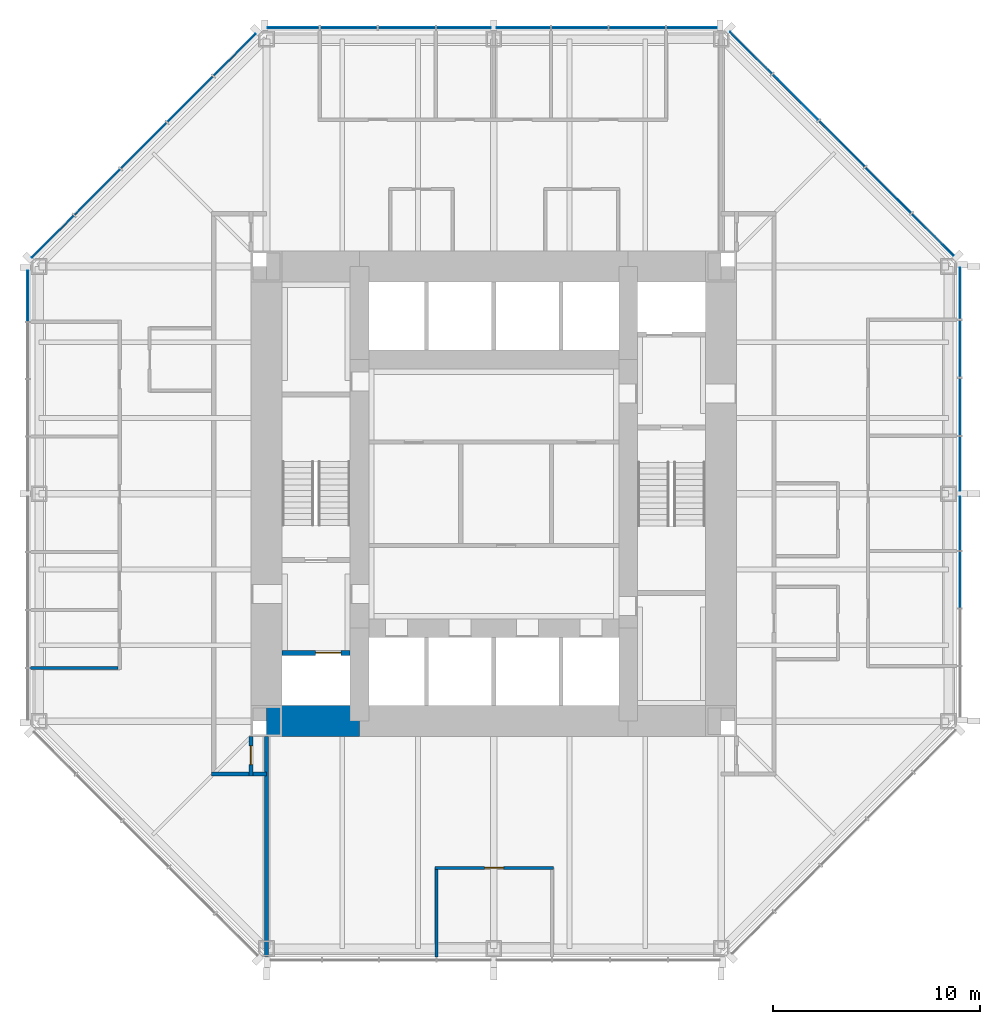
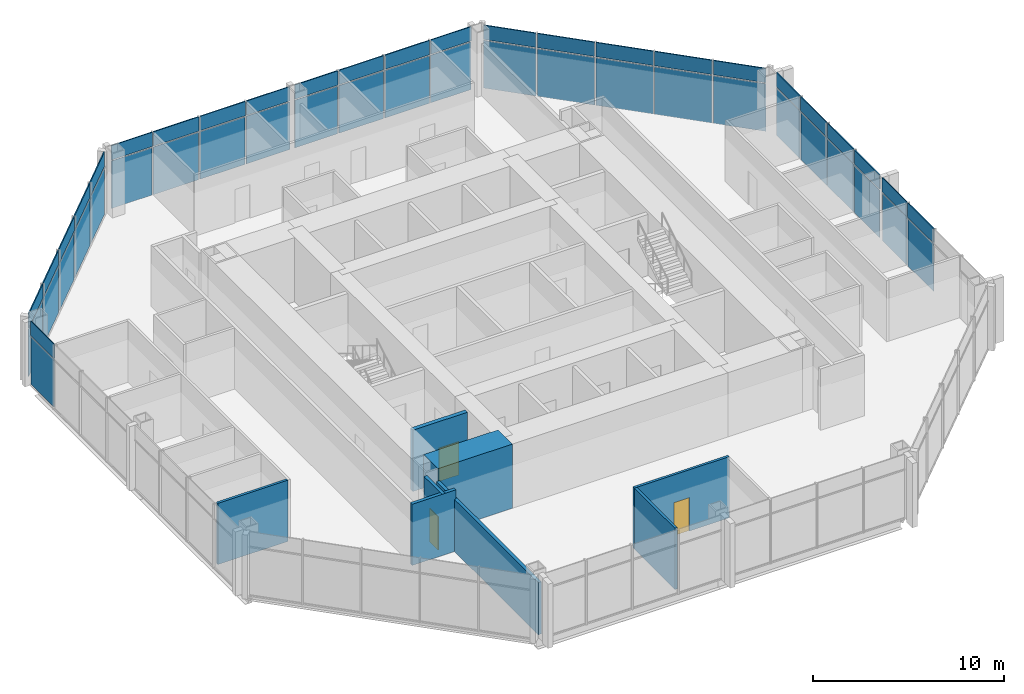
# One storey, part 8 of 12: 50 plates, 8 walls, 3 doors, 3 openings, 5 elements without a shape of their own.
"""IFC4 building model written with IfcOpenShell, lengths in metres."""

import ifcopenshell
import ifcopenshell.guid

model = None  # the IFC model being written
_history = None  # IfcOwnerHistory: only IFC2X3 demands one
_inside = {}  # id of a spatial element -> (the spatial element, [elements in it])
_under = {}  # id of a project, library or spatial element -> (it, [spatial elements below it])
_declared = {}  # id of a project -> (the project, [libraries it declares])
_typed = {}  # id of a type object -> (the type object, [elements of that type])
_made_of = {}  # id of a material, layer set ... -> (it, [elements and type objects made of it])


def new_model(schema):
    """Start an empty IFC model of exactly this schema.

    Asked for "IFC4X3", IfcOpenShell would pick the latest addendum, in which some entities
    have other attributes; the version numbers below select the first issue.
    IFC2X3 requires an IfcOwnerHistory on every rooted entity: one is made here for all.
    """
    global model, _history
    if schema == "IFC4X3":
        model = ifcopenshell.file(schema_version=(4, 3, 0, 0))
    else:
        model = ifcopenshell.file(schema=schema)
    _inside.clear()
    _under.clear()
    _declared.clear()
    _typed.clear()
    _made_of.clear()
    _history = None
    if model.schema == "IFC2X3":
        org = make("IfcOrganization", Name="unknown")
        user = make(
            "IfcPersonAndOrganization",
            ThePerson=make("IfcPerson", FamilyName="unknown"),
            TheOrganization=org,
        )
        app = make(
            "IfcApplication",
            ApplicationDeveloper=org,
            Version="unknown",
            ApplicationFullName="unknown",
            ApplicationIdentifier="unknown",
        )
        _history = make(
            "IfcOwnerHistory",
            OwningUser=user,
            OwningApplication=app,
            ChangeAction="ADDED",
            CreationDate=0,
        )
    return model


def make(cls, **values):
    """One entity of the class cls with the attributes given. An attribute that is None is left unset."""
    return model.create_entity(
        cls, **{name: value for name, value in values.items() if value is not None}
    )


def rooted(cls, **values):
    """An entity with a GlobalId (a new one), such as an element, a storey or a relation."""
    return make(cls, GlobalId=ifcopenshell.guid.new(), OwnerHistory=_history, **values)


def si_unit(unit_type, name, prefix=None):
    """IfcSIUnit, for example si_unit("LENGTHUNIT", "METRE", prefix="MILLI")."""
    return make("IfcSIUnit", UnitType=unit_type, Prefix=prefix, Name=name)


def assignment(units):
    """IfcUnitAssignment: the units of a project."""
    return None if units is None else make("IfcUnitAssignment", Units=units)


def point(xyz):
    """IfcCartesianPoint."""
    return None if xyz is None else make("IfcCartesianPoint", Coordinates=xyz)


def direction(xyz):
    """IfcDirection."""
    return None if xyz is None else make("IfcDirection", DirectionRatios=xyz)


def frame(location, z_axis=None, x_axis=None):
    """IfcAxis2Placement3D, a coordinate frame: its origin and axes. An axis left out is left unset."""
    return make(
        "IfcAxis2Placement3D",
        Location=point(location),
        Axis=direction(z_axis),
        RefDirection=direction(x_axis),
    )


def frame_2d(location, x_axis=None):
    """IfcAxis2Placement2D, a coordinate frame in the plane: its origin and x axis."""
    return make(
        "IfcAxis2Placement2D", Location=point(location), RefDirection=direction(x_axis)
    )


def origin():
    """The frame at (0, 0, 0) with its axes left unset."""
    return frame((0.0, 0.0, 0.0))


def origin_2d():
    """The frame at (0, 0) in the plane with its x axis left unset."""
    return frame_2d((0.0, 0.0))


def place(relative_to, where):
    """IfcLocalPlacement: puts the frame where relative to a parent placement (None: the world)."""
    return make(
        "IfcLocalPlacement", PlacementRelTo=relative_to, RelativePlacement=where
    )


def context(
    kind, dimensions, precision=None, world=None, true_north=None, identifier=None
):
    """IfcGeometricRepresentationContext, for example the 3D "Model" context."""
    return make(
        "IfcGeometricRepresentationContext",
        ContextIdentifier=identifier,
        ContextType=kind,
        CoordinateSpaceDimension=dimensions,
        Precision=precision,
        WorldCoordinateSystem=world,
        TrueNorth=true_north,
    )


def subcontext(parent, identifier, kind, view, scale=None):
    """IfcGeometricRepresentationSubContext, for example "Body" below "Model"."""
    return make(
        "IfcGeometricRepresentationSubContext",
        ContextIdentifier=identifier,
        ContextType=kind,
        ParentContext=parent,
        TargetScale=scale,
        TargetView=view,
    )


def project(units=None, contexts=None):
    """IfcProject with its units and contexts."""
    return rooted(
        "IfcProject",
        Name="project",
        RepresentationContexts=contexts,
        UnitsInContext=assignment(units),
    )


def spatial(cls, under=None, at=None, **own):
    """A site, building, storey or space (cls), placed at a placement, below another one or the project."""
    s = rooted(cls, ObjectPlacement=at, **own)
    if under is not None:
        _under.setdefault(under.id(), (under, []))[1].append(s)
    return s


def profile(cls, at=None, kind="AREA", **sizes):
    """A parametric profile (cls). Its sizes go by their IFC names, for example OverallWidth=200.0."""
    return make(cls, ProfileType=kind, Position=at, **sizes)


def rectangle(**sizes):
    """IfcRectangleProfileDef."""
    return profile("IfcRectangleProfileDef", **sizes)


def extrude(swept, where, along, depth):
    """IfcExtrudedAreaSolid: the profile swept, set in the frame where, extruded along a direction by depth."""
    return make(
        "IfcExtrudedAreaSolid",
        SweptArea=swept,
        Position=where,
        ExtrudedDirection=direction(along),
        Depth=depth,
    )


def shape(context_of_items, identifier, shape_type, items):
    """IfcShapeRepresentation: the items that make up one representation, for example the "Body"."""
    return make(
        "IfcShapeRepresentation",
        ContextOfItems=context_of_items,
        RepresentationIdentifier=identifier,
        RepresentationType=shape_type,
        Items=items,
    )


def material(Name=None, Category=None):
    """IfcMaterial."""
    return make("IfcMaterial", Name=Name, Category=Category)


def layer(
    of_material, thickness, ventilated=None, Name=None, Category=None, Priority=None
):
    """IfcMaterialLayer: one layer of a wall or slab, of a material (None: an air gap)."""
    return make(
        "IfcMaterialLayer",
        Material=of_material,
        LayerThickness=thickness,
        IsVentilated=ventilated,
        Name=Name,
        Category=Category,
        Priority=Priority,
    )


def layer_set(layers, Name=None):
    """IfcMaterialLayerSet."""
    return make("IfcMaterialLayerSet", MaterialLayers=layers, LayerSetName=Name)


def made_of(thing, what):
    """Note that an element or type object is made of a material, layer set ...; save() writes the relation."""
    if what is not None:
        _made_of.setdefault(what.id(), (what, []))[1].append(thing)
    return thing


def type_object(cls, material=None, **own):
    """A type object (cls), such as IfcWallType, which elements share."""
    return made_of(rooted(cls, **own), material)


def element(
    cls,
    number,
    at=None,
    inside=None,
    cuts=None,
    type_object=None,
    material=None,
    context=None,
    identifier="Body",
    shape_type=None,
    held_by="IfcProductDefinitionShape",
    body=None,
    shapes=None,
    **own,
):
    """One element of the class cls, such as IfcWall. Its Tag is "e" and its number.

    at: its placement. inside: the storey or other place that contains it. cuts: it is an
    opening in that element (IfcRelVoidsElement). A single representation is given by context,
    identifier, shape_type and body (its items); several are given by shapes. held_by: the class
    of the entity that holds the representations. save() writes the other relations.
    """
    e = rooted(cls, Tag="e%d" % number, ObjectPlacement=at, **own)
    if body is not None:
        shapes = [shape(context, identifier, shape_type, body)]
    if shapes is not None:
        e.Representation = make(held_by, Representations=shapes)
    if inside is not None:
        _inside.setdefault(inside.id(), (inside, []))[1].append(e)
    if cuts is not None:
        rooted(
            "IfcRelVoidsElement", RelatingBuildingElement=cuts, RelatedOpeningElement=e
        )
    if type_object is not None:
        _typed.setdefault(type_object.id(), (type_object, []))[1].append(e)
    return made_of(e, material)


def fill(opening, filler):
    """IfcRelFillsElement: the door or window that sits in an opening."""
    return rooted(
        "IfcRelFillsElement",
        RelatingOpeningElement=opening,
        RelatedBuildingElement=filler,
    )


def aggregate(whole, parts):
    """IfcRelAggregates: a whole, such as a stair, and the parts it consists of."""
    return rooted("IfcRelAggregates", RelatingObject=whole, RelatedObjects=parts)


def save(model, path):
    """Write the relations noted so far, then the file.

    IfcRelAggregates (storeys below a building ...), IfcRelContainedInSpatialStructure (elements
    in a storey), IfcRelDefinesByType, IfcRelAssociatesMaterial and IfcRelDeclares: one each for
    every whole, place, type object, material and project.
    """
    for whole, parts in _under.values():
        aggregate(whole, parts)
    for where, things in _inside.values():
        rooted(
            "IfcRelContainedInSpatialStructure",
            RelatedElements=things,
            RelatingStructure=where,
        )
    for kind, things in _typed.values():
        rooted("IfcRelDefinesByType", RelatedObjects=things, RelatingType=kind)
    for what, things in _made_of.values():
        rooted("IfcRelAssociatesMaterial", RelatedObjects=things, RelatingMaterial=what)
    for by, libraries in _declared.values():
        rooted("IfcRelDeclares", RelatingContext=by, RelatedDefinitions=libraries)
    model.write(path)


model = new_model("IFC4")

# Units and contexts
model_context = context("Model", 3, precision=1e-05, world=origin(), true_north=direction((0.0, 1.0)))
body_context = subcontext(model_context, "Body", "Model", "MODEL_VIEW")
ifc_project = project(units=[si_unit("LENGTHUNIT", "METRE"), si_unit("AREAUNIT", "SQUARE_METRE"), si_unit("VOLUMEUNIT", "CUBIC_METRE"), si_unit("PLANEANGLEUNIT", "RADIAN"), si_unit("MASSUNIT", "GRAM", prefix="KILO")], contexts=[model_context])

# Site, building, storey
site_placement = place(None, origin())
site = spatial("IfcSite", under=ifc_project, at=site_placement, CompositionType="ELEMENT")
building_placement = place(site_placement, origin())
building = spatial("IfcBuilding", under=site, at=building_placement, Name="Trevanion Tower", CompositionType="ELEMENT")
storey_placement = place(building_placement, frame((0.0, 0.0, 133.60009765625)))
storey = spatial("IfcBuildingStorey", under=building, at=storey_placement, Name="L31", CompositionType="ELEMENT", Elevation=133.60009765625)

# Curtain wall, plates
ifc_material_1 = material(Name="Aluminium and glass", Category="aluminium")
curtain_wall_type = type_object("IfcCurtainWallType", Name="CW2 curtain wall", PredefinedType="USERDEFINED", material=ifc_material_1)
curtain_wall_1_placement = place(storey_placement, origin())
curtain_wall_1 = element("IfcCurtainWall", 1, at=curtain_wall_1_placement, inside=storey, type_object=curtain_wall_type, Name="CW2 L31 0", ObjectType="UNITISED CURTAIN WALL", PredefinedType="USERDEFINED")
ifc_material_2 = material(Name="Aluminium spandrel panel", Category="aluminium")
ifc_layer_1 = layer(ifc_material_2, 0.06005859375)
ifc_layer_set_1 = layer_set([ifc_layer_1], Name="CW2 spandrel panel")
plate_type_1 = type_object("IfcPlateType", Name="CW2 spandrel panel", PredefinedType="CURTAIN_PANEL", material=ifc_layer_set_1)
plate_1_placement = place(storey_placement, frame((22.550048828125, -4.16162109375, 2.997314453125), z_axis=(0.0, 0.0, 1.0), x_axis=(0.0, 1.0, 0.0)))
plate_1 = element("IfcPlate", 2, at=plate_1_placement, type_object=plate_type_1, Name="CW2 panel 3.2", PredefinedType="CURTAIN_PANEL", context=body_context, shape_type="SweptSolid", body=[
    extrude(rectangle(XDim=2.699462890625, YDim=0.06005859375, at=origin_2d()), origin(), (0.0, 0.0, 1.0), 0.91259765625),
])
plate_2_placement = place(storey_placement, frame((22.550048828125, -1.443603515625, 2.997314453125), z_axis=(0.0, 0.0, 1.0), x_axis=(0.0, 1.0, 0.0)))
plate_2 = element("IfcPlate", 3, at=plate_2_placement, type_object=plate_type_1, Name="CW2 panel 4.2", PredefinedType="CURTAIN_PANEL", context=body_context, shape_type="SweptSolid", body=[
    extrude(rectangle(XDim=2.5869140625, YDim=0.06005859375, at=origin_2d()), origin(), (0.0, 0.0, 1.0), 0.91259765625),
])
plate_3_placement = place(storey_placement, frame((22.550048828125, 1.459716796875, 2.997314453125), z_axis=(0.0, 0.0, 1.0), x_axis=(0.0, 1.0, 0.0)))
plate_3 = element("IfcPlate", 4, at=plate_3_placement, type_object=plate_type_1, Name="CW2 panel 5.2", PredefinedType="CURTAIN_PANEL", context=body_context, shape_type="SweptSolid", body=[
    extrude(rectangle(XDim=2.619384765625, YDim=0.06005859375, at=origin_2d()), origin(), (0.0, 0.0, 1.0), 0.91259765625),
])
plate_4_placement = place(storey_placement, frame((22.550048828125, 4.21044921875, 2.997314453125), z_axis=(0.0, 0.0, 1.0), x_axis=(0.0, 1.0, 0.0)))
plate_4 = element("IfcPlate", 5, at=plate_4_placement, type_object=plate_type_1, Name="CW2 panel 6.2", PredefinedType="CURTAIN_PANEL", context=body_context, shape_type="SweptSolid", body=[
    extrude(rectangle(XDim=2.73193359375, YDim=0.06005859375, at=origin_2d()), origin(), (0.0, 0.0, 1.0), 0.91259765625),
])
plate_5_placement = place(storey_placement, frame((22.550048828125, 7.017333984375, 2.997314453125), z_axis=(0.0, 0.0, 1.0), x_axis=(0.0, 1.0, 0.0)))
plate_5 = element("IfcPlate", 6, at=plate_5_placement, type_object=plate_type_1, Name="CW2 panel 7.2", PredefinedType="CURTAIN_PANEL", context=body_context, shape_type="SweptSolid", body=[
    extrude(rectangle(XDim=2.73193359375, YDim=0.06005859375, at=origin_2d()), origin(), (0.0, 0.0, 1.0), 0.91259765625),
])
plate_6_placement = place(storey_placement, frame((22.550048828125, 9.693115234375, 2.997314453125), z_axis=(0.0, 0.0, 1.0), x_axis=(0.0, 1.0, 0.0)))
plate_6 = element("IfcPlate", 7, at=plate_6_placement, type_object=plate_type_1, Name="CW2 panel 8.2", PredefinedType="CURTAIN_PANEL", context=body_context, shape_type="SweptSolid", body=[
    extrude(rectangle(XDim=2.469482421875, YDim=0.06005859375, at=origin_2d()), origin(), (0.0, 0.0, 1.0), 0.91259765625),
])

curtain_wall_2_placement = place(storey_placement, origin())
curtain_wall_2 = element("IfcCurtainWall", 8, at=curtain_wall_2_placement, inside=storey, type_object=curtain_wall_type, Name="CW2 L31 1", ObjectType="UNITISED CURTAIN WALL", PredefinedType="USERDEFINED")
plate_7_placement = place(storey_placement, frame((21.2421875, 12.53564453125, 2.997314453125), z_axis=(0.0, 0.0, 1.0), x_axis=(-0.707106781187, 0.707106781187, 0.0)))
plate_7 = element("IfcPlate", 9, at=plate_7_placement, type_object=plate_type_1, Name="CW2 panel 1.2", PredefinedType="CURTAIN_PANEL", context=body_context, shape_type="SweptSolid", body=[
    extrude(rectangle(XDim=2.8388671875, YDim=0.06005859375, at=origin_2d()), origin(), (0.0, 0.0, 1.0), 0.91259765625),
])
plate_8_placement = place(storey_placement, frame((19.089111328125, 14.688720703125, 2.997314453125), z_axis=(0.0, 0.0, 1.0), x_axis=(-0.707106781187, 0.707106781187, 0.0)))
plate_8 = element("IfcPlate", 10, at=plate_8_placement, type_object=plate_type_1, Name="CW2 panel 2.2", PredefinedType="CURTAIN_PANEL", context=body_context, shape_type="SweptSolid", body=[
    extrude(rectangle(XDim=3.101318359375, YDim=0.06005859375, at=origin_2d()), origin(), (0.0, 0.0, 1.0), 0.91259765625),
])
plate_9_placement = place(storey_placement, frame((16.843017578125, 16.934814453125, 2.997314453125), z_axis=(0.0, 0.0, 1.0), x_axis=(-0.707106781187, 0.707106781187, 0.0)))
plate_9 = element("IfcPlate", 11, at=plate_9_placement, type_object=plate_type_1, Name="CW2 panel 3.2", PredefinedType="CURTAIN_PANEL", context=body_context, shape_type="SweptSolid", body=[
    extrude(rectangle(XDim=3.101318359375, YDim=0.06005859375, at=origin_2d()), origin(), (0.0, 0.0, 1.0), 0.91259765625),
])
plate_10_placement = place(storey_placement, frame((14.596923828125, 19.180908203125, 2.997314453125), z_axis=(0.0, 0.0, 1.0), x_axis=(-0.707106781187, 0.707106781187, 0.0)))
plate_10 = element("IfcPlate", 12, at=plate_10_placement, type_object=plate_type_1, Name="CW2 panel 4.2", PredefinedType="CURTAIN_PANEL", context=body_context, shape_type="SweptSolid", body=[
    extrude(rectangle(XDim=3.101318359375, YDim=0.06005859375, at=origin_2d()), origin(), (0.0, 0.0, 1.0), 0.91259765625),
])
plate_11_placement = place(storey_placement, frame((12.443603515625, 21.334228515625, 2.997314453125), z_axis=(0.0, 0.0, 1.0), x_axis=(-0.707106781187, 0.707106781187, 0.0)))
plate_11 = element("IfcPlate", 13, at=plate_11_placement, type_object=plate_type_1, Name="CW2 panel 5.2", PredefinedType="CURTAIN_PANEL", context=body_context, shape_type="SweptSolid", body=[
    extrude(rectangle(XDim=2.8388671875, YDim=0.06005859375, at=origin_2d()), origin(), (0.0, 0.0, 1.0), 0.91259765625),
])

curtain_wall_3_placement = place(storey_placement, origin())
curtain_wall_3 = element("IfcCurtainWall", 14, at=curtain_wall_3_placement, inside=storey, type_object=curtain_wall_type, Name="CW2 L31 2", ObjectType="UNITISED CURTAIN WALL", PredefinedType="USERDEFINED")
plate_12_placement = place(storey_placement, frame((9.579345703125, 22.550048828125, 2.997314453125), z_axis=(0.0, 0.0, 1.0), x_axis=(-1.0, 0.0, 0.0)))
plate_12 = element("IfcPlate", 15, at=plate_12_placement, type_object=plate_type_1, Name="CW2 panel 1.2", PredefinedType="CURTAIN_PANEL", context=body_context, shape_type="SweptSolid", body=[
    extrude(rectangle(XDim=2.43701171875, YDim=0.06005859375, at=origin_2d()), origin(), (0.0, 0.0, 1.0), 0.91259765625),
])
plate_13_placement = place(storey_placement, frame((6.93603515625, 22.550048828125, 2.997314453125), z_axis=(0.0, 0.0, 1.0), x_axis=(-1.0, 0.0, 0.0)))
plate_13 = element("IfcPlate", 16, at=plate_13_placement, type_object=plate_type_1, Name="CW2 panel 2.2", PredefinedType="CURTAIN_PANEL", context=body_context, shape_type="SweptSolid", body=[
    extrude(rectangle(XDim=2.699462890625, YDim=0.06005859375, at=origin_2d()), origin(), (0.0, 0.0, 1.0), 0.91259765625),
])
plate_14_placement = place(storey_placement, frame((4.16162109375, 22.550048828125, 2.997314453125), z_axis=(0.0, 0.0, 1.0), x_axis=(-1.0, 0.0, 0.0)))
plate_14 = element("IfcPlate", 17, at=plate_14_placement, type_object=plate_type_1, Name="CW2 panel 3.2", PredefinedType="CURTAIN_PANEL", context=body_context, shape_type="SweptSolid", body=[
    extrude(rectangle(XDim=2.699462890625, YDim=0.06005859375, at=origin_2d()), origin(), (0.0, 0.0, 1.0), 0.91259765625),
])
plate_15_placement = place(storey_placement, frame((1.443603515625, 22.550048828125, 2.997314453125), z_axis=(0.0, 0.0, 1.0), x_axis=(-1.0, 0.0, 0.0)))
plate_15 = element("IfcPlate", 18, at=plate_15_placement, type_object=plate_type_1, Name="CW2 panel 4.2", PredefinedType="CURTAIN_PANEL", context=body_context, shape_type="SweptSolid", body=[
    extrude(rectangle(XDim=2.5869140625, YDim=0.06005859375, at=origin_2d()), origin(), (0.0, 0.0, 1.0), 0.91259765625),
])
plate_16_placement = place(storey_placement, frame((-1.459716796875, 22.550048828125, 2.997314453125), z_axis=(0.0, 0.0, 1.0), x_axis=(-1.0, 0.0, 0.0)))
plate_16 = element("IfcPlate", 19, at=plate_16_placement, type_object=plate_type_1, Name="CW2 panel 5.2", PredefinedType="CURTAIN_PANEL", context=body_context, shape_type="SweptSolid", body=[
    extrude(rectangle(XDim=2.619384765625, YDim=0.06005859375, at=origin_2d()), origin(), (0.0, 0.0, 1.0), 0.91259765625),
])
plate_17_placement = place(storey_placement, frame((-4.21044921875, 22.550048828125, 2.997314453125), z_axis=(0.0, 0.0, 1.0), x_axis=(-1.0, 0.0, 0.0)))
plate_17 = element("IfcPlate", 20, at=plate_17_placement, type_object=plate_type_1, Name="CW2 panel 6.2", PredefinedType="CURTAIN_PANEL", context=body_context, shape_type="SweptSolid", body=[
    extrude(rectangle(XDim=2.73193359375, YDim=0.06005859375, at=origin_2d()), origin(), (0.0, 0.0, 1.0), 0.91259765625),
])
plate_18_placement = place(storey_placement, frame((-7.017333984375, 22.550048828125, 2.997314453125), z_axis=(0.0, 0.0, 1.0), x_axis=(-1.0, 0.0, 0.0)))
plate_18 = element("IfcPlate", 21, at=plate_18_placement, type_object=plate_type_1, Name="CW2 panel 7.2", PredefinedType="CURTAIN_PANEL", context=body_context, shape_type="SweptSolid", body=[
    extrude(rectangle(XDim=2.73193359375, YDim=0.06005859375, at=origin_2d()), origin(), (0.0, 0.0, 1.0), 0.91259765625),
])
plate_19_placement = place(storey_placement, frame((-9.693115234375, 22.550048828125, 2.997314453125), z_axis=(0.0, 0.0, 1.0), x_axis=(-1.0, 0.0, 0.0)))
plate_19 = element("IfcPlate", 22, at=plate_19_placement, type_object=plate_type_1, Name="CW2 panel 8.2", PredefinedType="CURTAIN_PANEL", context=body_context, shape_type="SweptSolid", body=[
    extrude(rectangle(XDim=2.469482421875, YDim=0.06005859375, at=origin_2d()), origin(), (0.0, 0.0, 1.0), 0.91259765625),
])

curtain_wall_4_placement = place(storey_placement, origin())
curtain_wall_4 = element("IfcCurtainWall", 23, at=curtain_wall_4_placement, inside=storey, type_object=curtain_wall_type, Name="CW2 L31 3", ObjectType="UNITISED CURTAIN WALL", PredefinedType="USERDEFINED")
plate_20_placement = place(storey_placement, frame((-12.53564453125, 21.2421875, 2.997314453125), z_axis=(0.0, 0.0, 1.0), x_axis=(-0.707106781187, -0.707106781187, 0.0)))
plate_20 = element("IfcPlate", 24, at=plate_20_placement, type_object=plate_type_1, Name="CW2 panel 1.2", PredefinedType="CURTAIN_PANEL", context=body_context, shape_type="SweptSolid", body=[
    extrude(rectangle(XDim=2.8388671875, YDim=0.06005859375, at=origin_2d()), origin(), (0.0, 0.0, 1.0), 0.91259765625),
])
plate_21_placement = place(storey_placement, frame((-14.688720703125, 19.089111328125, 2.997314453125), z_axis=(0.0, 0.0, 1.0), x_axis=(-0.707106781187, -0.707106781187, 0.0)))
plate_21 = element("IfcPlate", 25, at=plate_21_placement, type_object=plate_type_1, Name="CW2 panel 2.2", PredefinedType="CURTAIN_PANEL", context=body_context, shape_type="SweptSolid", body=[
    extrude(rectangle(XDim=3.101318359375, YDim=0.06005859375, at=origin_2d()), origin(), (0.0, 0.0, 1.0), 0.91259765625),
])
plate_22_placement = place(storey_placement, frame((-16.934814453125, 16.843017578125, 2.997314453125), z_axis=(0.0, 0.0, 1.0), x_axis=(-0.707106781187, -0.707106781187, 0.0)))
plate_22 = element("IfcPlate", 26, at=plate_22_placement, type_object=plate_type_1, Name="CW2 panel 3.2", PredefinedType="CURTAIN_PANEL", context=body_context, shape_type="SweptSolid", body=[
    extrude(rectangle(XDim=3.101318359375, YDim=0.06005859375, at=origin_2d()), origin(), (0.0, 0.0, 1.0), 0.91259765625),
])
plate_23_placement = place(storey_placement, frame((-19.180908203125, 14.596923828125, 2.997314453125), z_axis=(0.0, 0.0, 1.0), x_axis=(-0.707106781187, -0.707106781187, 0.0)))
plate_23 = element("IfcPlate", 27, at=plate_23_placement, type_object=plate_type_1, Name="CW2 panel 4.2", PredefinedType="CURTAIN_PANEL", context=body_context, shape_type="SweptSolid", body=[
    extrude(rectangle(XDim=3.101318359375, YDim=0.06005859375, at=origin_2d()), origin(), (0.0, 0.0, 1.0), 0.91259765625),
])
plate_24_placement = place(storey_placement, frame((-21.334228515625, 12.443603515625, 2.997314453125), z_axis=(0.0, 0.0, 1.0), x_axis=(-0.707106781187, -0.707106781187, 0.0)))
plate_24 = element("IfcPlate", 28, at=plate_24_placement, type_object=plate_type_1, Name="CW2 panel 5.2", PredefinedType="CURTAIN_PANEL", context=body_context, shape_type="SweptSolid", body=[
    extrude(rectangle(XDim=2.8388671875, YDim=0.06005859375, at=origin_2d()), origin(), (0.0, 0.0, 1.0), 0.91259765625),
])

# Curtain wall, plate
curtain_wall_5_placement = place(storey_placement, origin())
curtain_wall_5 = element("IfcCurtainWall", 29, at=curtain_wall_5_placement, inside=storey, type_object=curtain_wall_type, Name="CW2 L31 4", ObjectType="UNITISED CURTAIN WALL", PredefinedType="USERDEFINED")
plate_25_placement = place(storey_placement, frame((-22.550048828125, 9.579345703125, 2.997314453125), z_axis=(0.0, 0.0, 1.0), x_axis=(0.0, -1.0, 0.0)))
plate_25 = element("IfcPlate", 30, at=plate_25_placement, type_object=plate_type_1, Name="CW2 panel 1.2", PredefinedType="CURTAIN_PANEL", context=body_context, shape_type="SweptSolid", body=[
    extrude(rectangle(XDim=2.43701171875, YDim=0.06005859375, at=origin_2d()), origin(), (0.0, 0.0, 1.0), 0.91259765625),
])

# Plate
ifc_material_3 = material(Name="Insulating glass unit", Category="glass")
ifc_layer_2 = layer(ifc_material_3, 0.028076171875)
ifc_layer_set_2 = layer_set([ifc_layer_2], Name="CW2 vision panel")
plate_type_2 = type_object("IfcPlateType", Name="CW2 vision panel", PredefinedType="CURTAIN_PANEL", material=ifc_layer_set_2)
plate_26_placement = place(storey_placement, frame((22.550048828125, -4.16162109375, -0.115234375), z_axis=(0.0, 0.0, 1.0), x_axis=(0.0, 1.0, 0.0)))
plate_26 = element("IfcPlate", 31, at=plate_26_placement, type_object=plate_type_2, Name="CW2 panel 3.1", PredefinedType="CURTAIN_PANEL", context=body_context, shape_type="SweptSolid", body=[
    extrude(rectangle(XDim=2.699462890625, YDim=0.028076171875, at=origin_2d()), origin(), (0.0, 0.0, 1.0), 3.03759765625),
])

plate_27_placement = place(storey_placement, frame((22.550048828125, -1.443603515625, -0.115234375), z_axis=(0.0, 0.0, 1.0), x_axis=(0.0, 1.0, 0.0)))
plate_27 = element("IfcPlate", 32, at=plate_27_placement, type_object=plate_type_2, Name="CW2 panel 4.1", PredefinedType="CURTAIN_PANEL", context=body_context, shape_type="SweptSolid", body=[
    extrude(rectangle(XDim=2.5869140625, YDim=0.028076171875, at=origin_2d()), origin(), (0.0, 0.0, 1.0), 3.03759765625),
])

plate_28_placement = place(storey_placement, frame((22.550048828125, 1.459716796875, -0.115234375), z_axis=(0.0, 0.0, 1.0), x_axis=(0.0, 1.0, 0.0)))
plate_28 = element("IfcPlate", 33, at=plate_28_placement, type_object=plate_type_2, Name="CW2 panel 5.1", PredefinedType="CURTAIN_PANEL", context=body_context, shape_type="SweptSolid", body=[
    extrude(rectangle(XDim=2.619384765625, YDim=0.028076171875, at=origin_2d()), origin(), (0.0, 0.0, 1.0), 3.03759765625),
])

plate_29_placement = place(storey_placement, frame((22.550048828125, 4.21044921875, -0.115234375), z_axis=(0.0, 0.0, 1.0), x_axis=(0.0, 1.0, 0.0)))
plate_29 = element("IfcPlate", 34, at=plate_29_placement, type_object=plate_type_2, Name="CW2 panel 6.1", PredefinedType="CURTAIN_PANEL", context=body_context, shape_type="SweptSolid", body=[
    extrude(rectangle(XDim=2.73193359375, YDim=0.028076171875, at=origin_2d()), origin(), (0.0, 0.0, 1.0), 3.03759765625),
])

plate_30_placement = place(storey_placement, frame((22.550048828125, 7.017333984375, -0.115234375), z_axis=(0.0, 0.0, 1.0), x_axis=(0.0, 1.0, 0.0)))
plate_30 = element("IfcPlate", 35, at=plate_30_placement, type_object=plate_type_2, Name="CW2 panel 7.1", PredefinedType="CURTAIN_PANEL", context=body_context, shape_type="SweptSolid", body=[
    extrude(rectangle(XDim=2.73193359375, YDim=0.028076171875, at=origin_2d()), origin(), (0.0, 0.0, 1.0), 3.03759765625),
])

plate_31_placement = place(storey_placement, frame((22.550048828125, 9.693115234375, -0.115234375), z_axis=(0.0, 0.0, 1.0), x_axis=(0.0, 1.0, 0.0)))
plate_31 = element("IfcPlate", 36, at=plate_31_placement, type_object=plate_type_2, Name="CW2 panel 8.1", PredefinedType="CURTAIN_PANEL", context=body_context, shape_type="SweptSolid", body=[
    extrude(rectangle(XDim=2.469482421875, YDim=0.028076171875, at=origin_2d()), origin(), (0.0, 0.0, 1.0), 3.03759765625),
])

aggregate(curtain_wall_1, [plate_26, plate_1, plate_27, plate_2, plate_28, plate_3, plate_29, plate_4, plate_30, plate_5, plate_31, plate_6])

plate_32_placement = place(storey_placement, frame((21.2421875, 12.53564453125, -0.115234375), z_axis=(0.0, 0.0, 1.0), x_axis=(-0.707106781187, 0.707106781187, 0.0)))
plate_32 = element("IfcPlate", 37, at=plate_32_placement, type_object=plate_type_2, Name="CW2 panel 1.1", PredefinedType="CURTAIN_PANEL", context=body_context, shape_type="SweptSolid", body=[
    extrude(rectangle(XDim=2.8388671875, YDim=0.028076171875, at=origin_2d()), origin(), (0.0, 0.0, 1.0), 3.03759765625),
])

plate_33_placement = place(storey_placement, frame((19.089111328125, 14.688720703125, -0.115234375), z_axis=(0.0, 0.0, 1.0), x_axis=(-0.707106781187, 0.707106781187, 0.0)))
plate_33 = element("IfcPlate", 38, at=plate_33_placement, type_object=plate_type_2, Name="CW2 panel 2.1", PredefinedType="CURTAIN_PANEL", context=body_context, shape_type="SweptSolid", body=[
    extrude(rectangle(XDim=3.101318359375, YDim=0.028076171875, at=origin_2d()), origin(), (0.0, 0.0, 1.0), 3.03759765625),
])

plate_34_placement = place(storey_placement, frame((16.843017578125, 16.934814453125, -0.115234375), z_axis=(0.0, 0.0, 1.0), x_axis=(-0.707106781187, 0.707106781187, 0.0)))
plate_34 = element("IfcPlate", 39, at=plate_34_placement, type_object=plate_type_2, Name="CW2 panel 3.1", PredefinedType="CURTAIN_PANEL", context=body_context, shape_type="SweptSolid", body=[
    extrude(rectangle(XDim=3.101318359375, YDim=0.028076171875, at=origin_2d()), origin(), (0.0, 0.0, 1.0), 3.03759765625),
])

plate_35_placement = place(storey_placement, frame((14.596923828125, 19.180908203125, -0.115234375), z_axis=(0.0, 0.0, 1.0), x_axis=(-0.707106781187, 0.707106781187, 0.0)))
plate_35 = element("IfcPlate", 40, at=plate_35_placement, type_object=plate_type_2, Name="CW2 panel 4.1", PredefinedType="CURTAIN_PANEL", context=body_context, shape_type="SweptSolid", body=[
    extrude(rectangle(XDim=3.101318359375, YDim=0.028076171875, at=origin_2d()), origin(), (0.0, 0.0, 1.0), 3.03759765625),
])

plate_36_placement = place(storey_placement, frame((12.443603515625, 21.334228515625, -0.115234375), z_axis=(0.0, 0.0, 1.0), x_axis=(-0.707106781187, 0.707106781187, 0.0)))
plate_36 = element("IfcPlate", 41, at=plate_36_placement, type_object=plate_type_2, Name="CW2 panel 5.1", PredefinedType="CURTAIN_PANEL", context=body_context, shape_type="SweptSolid", body=[
    extrude(rectangle(XDim=2.8388671875, YDim=0.028076171875, at=origin_2d()), origin(), (0.0, 0.0, 1.0), 3.03759765625),
])

aggregate(curtain_wall_2, [plate_32, plate_7, plate_33, plate_8, plate_34, plate_9, plate_35, plate_10, plate_36, plate_11])

plate_37_placement = place(storey_placement, frame((9.579345703125, 22.550048828125, -0.115234375), z_axis=(0.0, 0.0, 1.0), x_axis=(-1.0, 0.0, 0.0)))
plate_37 = element("IfcPlate", 42, at=plate_37_placement, type_object=plate_type_2, Name="CW2 panel 1.1", PredefinedType="CURTAIN_PANEL", context=body_context, shape_type="SweptSolid", body=[
    extrude(rectangle(XDim=2.43701171875, YDim=0.028076171875, at=origin_2d()), origin(), (0.0, 0.0, 1.0), 3.03759765625),
])

plate_38_placement = place(storey_placement, frame((6.93603515625, 22.550048828125, -0.115234375), z_axis=(0.0, 0.0, 1.0), x_axis=(-1.0, 0.0, 0.0)))
plate_38 = element("IfcPlate", 43, at=plate_38_placement, type_object=plate_type_2, Name="CW2 panel 2.1", PredefinedType="CURTAIN_PANEL", context=body_context, shape_type="SweptSolid", body=[
    extrude(rectangle(XDim=2.699462890625, YDim=0.028076171875, at=origin_2d()), origin(), (0.0, 0.0, 1.0), 3.03759765625),
])

plate_39_placement = place(storey_placement, frame((4.16162109375, 22.550048828125, -0.115234375), z_axis=(0.0, 0.0, 1.0), x_axis=(-1.0, 0.0, 0.0)))
plate_39 = element("IfcPlate", 44, at=plate_39_placement, type_object=plate_type_2, Name="CW2 panel 3.1", PredefinedType="CURTAIN_PANEL", context=body_context, shape_type="SweptSolid", body=[
    extrude(rectangle(XDim=2.699462890625, YDim=0.028076171875, at=origin_2d()), origin(), (0.0, 0.0, 1.0), 3.03759765625),
])

plate_40_placement = place(storey_placement, frame((1.443603515625, 22.550048828125, -0.115234375), z_axis=(0.0, 0.0, 1.0), x_axis=(-1.0, 0.0, 0.0)))
plate_40 = element("IfcPlate", 45, at=plate_40_placement, type_object=plate_type_2, Name="CW2 panel 4.1", PredefinedType="CURTAIN_PANEL", context=body_context, shape_type="SweptSolid", body=[
    extrude(rectangle(XDim=2.5869140625, YDim=0.028076171875, at=origin_2d()), origin(), (0.0, 0.0, 1.0), 3.03759765625),
])

plate_41_placement = place(storey_placement, frame((-1.459716796875, 22.550048828125, -0.115234375), z_axis=(0.0, 0.0, 1.0), x_axis=(-1.0, 0.0, 0.0)))
plate_41 = element("IfcPlate", 46, at=plate_41_placement, type_object=plate_type_2, Name="CW2 panel 5.1", PredefinedType="CURTAIN_PANEL", context=body_context, shape_type="SweptSolid", body=[
    extrude(rectangle(XDim=2.619384765625, YDim=0.028076171875, at=origin_2d()), origin(), (0.0, 0.0, 1.0), 3.03759765625),
])

plate_42_placement = place(storey_placement, frame((-4.21044921875, 22.550048828125, -0.115234375), z_axis=(0.0, 0.0, 1.0), x_axis=(-1.0, 0.0, 0.0)))
plate_42 = element("IfcPlate", 47, at=plate_42_placement, type_object=plate_type_2, Name="CW2 panel 6.1", PredefinedType="CURTAIN_PANEL", context=body_context, shape_type="SweptSolid", body=[
    extrude(rectangle(XDim=2.73193359375, YDim=0.028076171875, at=origin_2d()), origin(), (0.0, 0.0, 1.0), 3.03759765625),
])

plate_43_placement = place(storey_placement, frame((-7.017333984375, 22.550048828125, -0.115234375), z_axis=(0.0, 0.0, 1.0), x_axis=(-1.0, 0.0, 0.0)))
plate_43 = element("IfcPlate", 48, at=plate_43_placement, type_object=plate_type_2, Name="CW2 panel 7.1", PredefinedType="CURTAIN_PANEL", context=body_context, shape_type="SweptSolid", body=[
    extrude(rectangle(XDim=2.73193359375, YDim=0.028076171875, at=origin_2d()), origin(), (0.0, 0.0, 1.0), 3.03759765625),
])

plate_44_placement = place(storey_placement, frame((-9.693115234375, 22.550048828125, -0.115234375), z_axis=(0.0, 0.0, 1.0), x_axis=(-1.0, 0.0, 0.0)))
plate_44 = element("IfcPlate", 49, at=plate_44_placement, type_object=plate_type_2, Name="CW2 panel 8.1", PredefinedType="CURTAIN_PANEL", context=body_context, shape_type="SweptSolid", body=[
    extrude(rectangle(XDim=2.469482421875, YDim=0.028076171875, at=origin_2d()), origin(), (0.0, 0.0, 1.0), 3.03759765625),
])

aggregate(curtain_wall_3, [plate_37, plate_12, plate_38, plate_13, plate_39, plate_14, plate_40, plate_15, plate_41, plate_16, plate_42, plate_17, plate_43, plate_18, plate_44, plate_19])

plate_45_placement = place(storey_placement, frame((-12.53564453125, 21.2421875, -0.115234375), z_axis=(0.0, 0.0, 1.0), x_axis=(-0.707106781187, -0.707106781187, 0.0)))
plate_45 = element("IfcPlate", 50, at=plate_45_placement, type_object=plate_type_2, Name="CW2 panel 1.1", PredefinedType="CURTAIN_PANEL", context=body_context, shape_type="SweptSolid", body=[
    extrude(rectangle(XDim=2.8388671875, YDim=0.028076171875, at=origin_2d()), origin(), (0.0, 0.0, 1.0), 3.03759765625),
])

plate_46_placement = place(storey_placement, frame((-14.688720703125, 19.089111328125, -0.115234375), z_axis=(0.0, 0.0, 1.0), x_axis=(-0.707106781187, -0.707106781187, 0.0)))
plate_46 = element("IfcPlate", 51, at=plate_46_placement, type_object=plate_type_2, Name="CW2 panel 2.1", PredefinedType="CURTAIN_PANEL", context=body_context, shape_type="SweptSolid", body=[
    extrude(rectangle(XDim=3.101318359375, YDim=0.028076171875, at=origin_2d()), origin(), (0.0, 0.0, 1.0), 3.03759765625),
])

plate_47_placement = place(storey_placement, frame((-16.934814453125, 16.843017578125, -0.115234375), z_axis=(0.0, 0.0, 1.0), x_axis=(-0.707106781187, -0.707106781187, 0.0)))
plate_47 = element("IfcPlate", 52, at=plate_47_placement, type_object=plate_type_2, Name="CW2 panel 3.1", PredefinedType="CURTAIN_PANEL", context=body_context, shape_type="SweptSolid", body=[
    extrude(rectangle(XDim=3.101318359375, YDim=0.028076171875, at=origin_2d()), origin(), (0.0, 0.0, 1.0), 3.03759765625),
])

plate_48_placement = place(storey_placement, frame((-19.180908203125, 14.596923828125, -0.115234375), z_axis=(0.0, 0.0, 1.0), x_axis=(-0.707106781187, -0.707106781187, 0.0)))
plate_48 = element("IfcPlate", 53, at=plate_48_placement, type_object=plate_type_2, Name="CW2 panel 4.1", PredefinedType="CURTAIN_PANEL", context=body_context, shape_type="SweptSolid", body=[
    extrude(rectangle(XDim=3.101318359375, YDim=0.028076171875, at=origin_2d()), origin(), (0.0, 0.0, 1.0), 3.03759765625),
])

plate_49_placement = place(storey_placement, frame((-21.334228515625, 12.443603515625, -0.115234375), z_axis=(0.0, 0.0, 1.0), x_axis=(-0.707106781187, -0.707106781187, 0.0)))
plate_49 = element("IfcPlate", 54, at=plate_49_placement, type_object=plate_type_2, Name="CW2 panel 5.1", PredefinedType="CURTAIN_PANEL", context=body_context, shape_type="SweptSolid", body=[
    extrude(rectangle(XDim=2.8388671875, YDim=0.028076171875, at=origin_2d()), origin(), (0.0, 0.0, 1.0), 3.03759765625),
])

aggregate(curtain_wall_4, [plate_45, plate_20, plate_46, plate_21, plate_47, plate_22, plate_48, plate_23, plate_49, plate_24])

plate_50_placement = place(storey_placement, frame((-22.550048828125, 9.579345703125, -0.115234375), z_axis=(0.0, 0.0, 1.0), x_axis=(0.0, -1.0, 0.0)))
plate_50 = element("IfcPlate", 55, at=plate_50_placement, type_object=plate_type_2, Name="CW2 panel 1.1", PredefinedType="CURTAIN_PANEL", context=body_context, shape_type="SweptSolid", body=[
    extrude(rectangle(XDim=2.43701171875, YDim=0.028076171875, at=origin_2d()), origin(), (0.0, 0.0, 1.0), 3.03759765625),
])

aggregate(curtain_wall_5, [plate_50, plate_25])

# Walls
ifc_material_4 = material(Name="Concrete 10,000 psi", Category="concrete")
ifc_layer_3 = layer(ifc_material_4, 1.5)
ifc_layer_set_3 = layer_set([ifc_layer_3], Name="CW1 core wall 1500")
wall_type_1 = type_object("IfcWallType", Name="CW1 core wall 1500", PredefinedType="SHEAR", material=ifc_layer_set_3)
wall_1_placement = place(storey_placement, frame((-11.0, -11.0, 0.0), z_axis=(0.0, 0.0, 1.0), x_axis=(1.0, 0.0, 0.0)))
element("IfcWall", 56, at=wall_1_placement, inside=storey, type_object=wall_type_1, Name="CW1 CS1 L31", PredefinedType="SHEAR", context=body_context, shape_type="SweptSolid", body=[
    extrude(rectangle(XDim=4.5, YDim=1.5, at=frame_2d((2.25, 0.0))), origin(), (0.0, 0.0, 1.0), 4.099853515625),
])
ifc_material_5 = material(Name="Gypsum board on steel studs", Category="steel")
ifc_layer_4 = layer(ifc_material_5, 0.14990234375)
ifc_layer_set_4 = layer_set([ifc_layer_4], Name="PT1 partition 150")
wall_type_2 = type_object("IfcWallType", Name="PT1 partition 150", PredefinedType="PARTITIONING", material=ifc_layer_set_4)
wall_2_placement = place(storey_placement, frame((-18.175048828125, -8.4208984375, 0.0), z_axis=(0.0, 0.0, 1.0), x_axis=(-1.0, 0.0, 0.0)))
element("IfcWall", 57, at=wall_2_placement, inside=storey, type_object=wall_type_2, Name="PT1 L31 FC2S6", PredefinedType="PARTITIONING", context=body_context, shape_type="SweptSolid", body=[
    extrude(rectangle(XDim=4.239990234375, YDim=0.14990234375, at=frame_2d((2.1201171875, 0.0))), origin(), (0.0, 0.0, 1.0), 3.909912109375),
])

# Wall, opening, door
wall_3_placement = place(storey_placement, frame((-2.85009765625, -18.10009765625, 0.0), z_axis=(0.0, 0.0, 1.0), x_axis=(1.0, 0.0, 0.0)))
wall_3 = element("IfcWall", 58, at=wall_3_placement, inside=storey, type_object=wall_type_2, Name="PT1 L31 FC3F", PredefinedType="PARTITIONING", context=body_context, shape_type="SweptSolid", body=[
    extrude(rectangle(XDim=5.732177734375, YDim=0.14990234375, at=frame_2d((2.8662109375, 0.0))), origin(), (0.0, 0.0, 1.0), 3.909912109375),
])
opening_1_placement = place(wall_3_placement, frame((2.408447265625, 0.0, 0.0)))
opening_1 = element("IfcOpeningElement", 59, at=opening_1_placement, cuts=wall_3, Name="Opening 31-033", PredefinedType="OPENING", context=body_context, shape_type="SweptSolid", body=[
    extrude(rectangle(XDim=0.9150390625, YDim=2.134033203125, at=frame_2d((0.45751953125, 1.06689453125))), frame((0.0, 0.0849609375, 0.0), z_axis=(0.0, -1.0, 0.0), x_axis=(1.0, 0.0, 0.0)), (0.0, 0.0, 1.0), 0.169921875),
])
ifc_material_6 = material(Name="Timber veneer, solid core", Category="wood")
door_type_1 = type_object("IfcDoorType", Name="D1 office and meeting room door", OperationType="SINGLE_SWING_LEFT", PredefinedType="DOOR", material=ifc_material_6)
door_1_placement = place(opening_1_placement, origin())
door_1 = element("IfcDoor", 60, at=door_1_placement, inside=storey, type_object=door_type_1, Name="Door 31-033", OperationType="SINGLE_SWING_LEFT", OverallHeight=2.134033203125, OverallWidth=0.9150390625, PredefinedType="DOOR", context=body_context, shape_type="SweptSolid", body=[
    extrude(rectangle(XDim=0.9150390625, YDim=2.134033203125, at=frame_2d((0.45751953125, 1.06689453125))), frame((0.0, 0.02490234375, 0.0), z_axis=(0.0, -1.0, 0.0), x_axis=(1.0, 0.0, 0.0)), (0.0, 0.0, 1.0), 0.050048828125),
])
fill(opening_1, door_1)

# Wall
wall_4_placement = place(storey_placement, frame((-2.77490234375, -18.175048828125, 0.0), z_axis=(0.0, 0.0, 1.0), x_axis=(0.0, -1.0, 0.0)))
element("IfcWall", 61, at=wall_4_placement, inside=storey, type_object=wall_type_2, Name="PT1 L31 FC3S0", PredefinedType="PARTITIONING", context=body_context, shape_type="SweptSolid", body=[
    extrude(rectangle(XDim=4.239990234375, YDim=0.14990234375, at=frame_2d((2.1201171875, 0.0))), origin(), (0.0, 0.0, 1.0), 3.909912109375),
])

# Wall, opening, door
ifc_material_7 = material(Name="Concrete masonry, grouted", Category="masonry")
ifc_layer_5 = layer(ifc_material_7, 0.199951171875)
ifc_layer_set_5 = layer_set([ifc_layer_5], Name="PT2 partition 200 1 HR")
wall_type_3 = type_object("IfcWallType", Name="PT2 partition 200 1 HR", PredefinedType="PARTITIONING", material=ifc_layer_set_5)
wall_5_placement = place(storey_placement, frame((-11.75, -11.75, 0.0), z_axis=(0.0, 0.0, 1.0), x_axis=(0.0, -1.0, 0.0)))
wall_5 = element("IfcWall", 62, at=wall_5_placement, inside=storey, type_object=wall_type_3, Name="PT2 L31 OUSW1", PredefinedType="PARTITIONING", context=body_context, shape_type="SweptSolid", body=[
    extrude(rectangle(XDim=1.89990234375, YDim=0.199951171875, at=frame_2d((0.949951171875, 0.0))), origin(), (0.0, 0.0, 1.0), 3.909912109375),
])
opening_2_placement = place(wall_5_placement, frame((0.4423828125, 0.0, 0.0)))
opening_2 = element("IfcOpeningElement", 63, at=opening_2_placement, cuts=wall_5, Name="Opening 31-021", PredefinedType="OPENING", context=body_context, shape_type="SweptSolid", body=[
    extrude(rectangle(XDim=0.9150390625, YDim=2.134033203125, at=frame_2d((0.45751953125, 1.06689453125))), frame((0.0, 0.10986328125, 0.0), z_axis=(0.0, -1.0, 0.0), x_axis=(1.0, 0.0, 0.0)), (0.0, 0.0, 1.0), 0.219970703125),
])
ifc_material_8 = material(Name="Timber veneer, fire rated", Category="wood")
door_type_2 = type_object("IfcDoorType", Name="D10 office door in a one hour wall", OperationType="SINGLE_SWING_LEFT", PredefinedType="DOOR", material=ifc_material_8)
door_2_placement = place(opening_2_placement, frame((0.9150390625, 0.0, 0.0), z_axis=(0.0, 0.0, 1.0), x_axis=(-1.0, 0.0, 0.0)))
door_2 = element("IfcDoor", 64, at=door_2_placement, inside=storey, type_object=door_type_2, Name="Door 31-021", OperationType="SINGLE_SWING_LEFT", OverallHeight=2.134033203125, OverallWidth=0.9150390625, PredefinedType="DOOR", context=body_context, shape_type="SweptSolid", body=[
    extrude(rectangle(XDim=0.9150390625, YDim=2.134033203125, at=frame_2d((0.45751953125, 1.06689453125))), frame((0.0, 0.02490234375, 0.0), z_axis=(0.0, -1.0, 0.0), x_axis=(1.0, 0.0, 0.0)), (0.0, 0.0, 1.0), 0.050048828125),
])
fill(opening_2, door_2)

# Walls
wall_6_placement = place(storey_placement, frame((-11.0, -13.550048828125, 0.0), z_axis=(0.0, 0.0, 1.0), x_axis=(-1.0, 0.0, 0.0)))
element("IfcWall", 65, at=wall_6_placement, inside=storey, type_object=wall_type_3, Name="PT2 L31 OUSW2", PredefinedType="PARTITIONING", context=body_context, shape_type="SweptSolid", body=[
    extrude(rectangle(XDim=2.64990234375, YDim=0.199951171875, at=frame_2d((1.324951171875, 0.0))), origin(), (0.0, 0.0, 1.0), 3.909912109375),
])
wall_7_placement = place(storey_placement, frame((-11.0, -11.75, 0.0), z_axis=(0.0, 0.0, 1.0), x_axis=(0.0, -1.0, 0.0)))
element("IfcWall", 66, at=wall_7_placement, inside=storey, type_object=wall_type_3, Name="PT2 L31 DM2", PredefinedType="PARTITIONING", context=body_context, shape_type="SweptSolid", body=[
    extrude(rectangle(XDim=10.6650390625, YDim=0.199951171875, at=frame_2d((5.33251953125, 0.0))), origin(), (0.0, 0.0, 1.0), 3.32568359375),
])

# Wall, opening, door
ifc_material_9 = material(Name="Concrete masonry, grouted, two-hour", Category="masonry")
ifc_layer_6 = layer(ifc_material_9, 0.25)
ifc_layer_set_6 = layer_set([ifc_layer_6], Name="PT3 partition 250 2 HR")
wall_type_4 = type_object("IfcWallType", Name="PT3 partition 250 2 HR", PredefinedType="PARTITIONING", material=ifc_layer_set_6)
wall_8_placement = place(storey_placement, frame((-6.949951171875, -7.699951171875, 0.0), z_axis=(0.0, 0.0, 1.0), x_axis=(-1.0, 0.0, 0.0)))
wall_8 = element("IfcWall", 67, at=wall_8_placement, inside=storey, type_object=wall_type_4, Name="PT3 L31 WP3", PredefinedType="PARTITIONING", context=body_context, shape_type="SweptSolid", body=[
    extrude(rectangle(XDim=3.300048828125, YDim=0.25, at=frame_2d((1.64990234375, 0.0))), origin(), (0.0, 0.0, 1.0), 3.909912109375),
])
opening_3_placement = place(wall_8_placement, frame((0.449951171875, 0.0, 0.0)))
opening_3 = element("IfcOpeningElement", 68, at=opening_3_placement, cuts=wall_8, Name="Opening 31-008", PredefinedType="OPENING", context=body_context, shape_type="SweptSolid", body=[
    extrude(rectangle(XDim=1.218994140625, YDim=2.134033203125, at=frame_2d((0.609375, 1.06689453125))), frame((0.0, 0.135009765625, 0.0), z_axis=(0.0, -1.0, 0.0), x_axis=(1.0, 0.0, 0.0)), (0.0, 0.0, 1.0), 0.27001953125),
])
ifc_material_10 = material(Name="Stainless steel, fire rated", Category="steel")
door_type_3 = type_object("IfcDoorType", Name="LD2 fire service lift landing door", OperationType="SLIDING_TO_LEFT", PredefinedType="DOOR", material=ifc_material_10)
door_3_placement = place(opening_3_placement, origin())
door_3 = element("IfcDoor", 69, at=door_3_placement, inside=storey, type_object=door_type_3, Name="Door 31-008", OperationType="SLIDING_TO_LEFT", OverallHeight=2.134033203125, OverallWidth=1.218994140625, PredefinedType="DOOR", context=body_context, shape_type="SweptSolid", body=[
    extrude(rectangle(XDim=1.218994140625, YDim=2.134033203125, at=frame_2d((0.609375, 1.06689453125))), frame((0.0, 0.02490234375, 0.0), z_axis=(0.0, -1.0, 0.0), x_axis=(1.0, 0.0, 0.0)), (0.0, 0.0, 1.0), 0.050048828125),
])
fill(opening_3, door_3)

save(model, "model.ifc")
